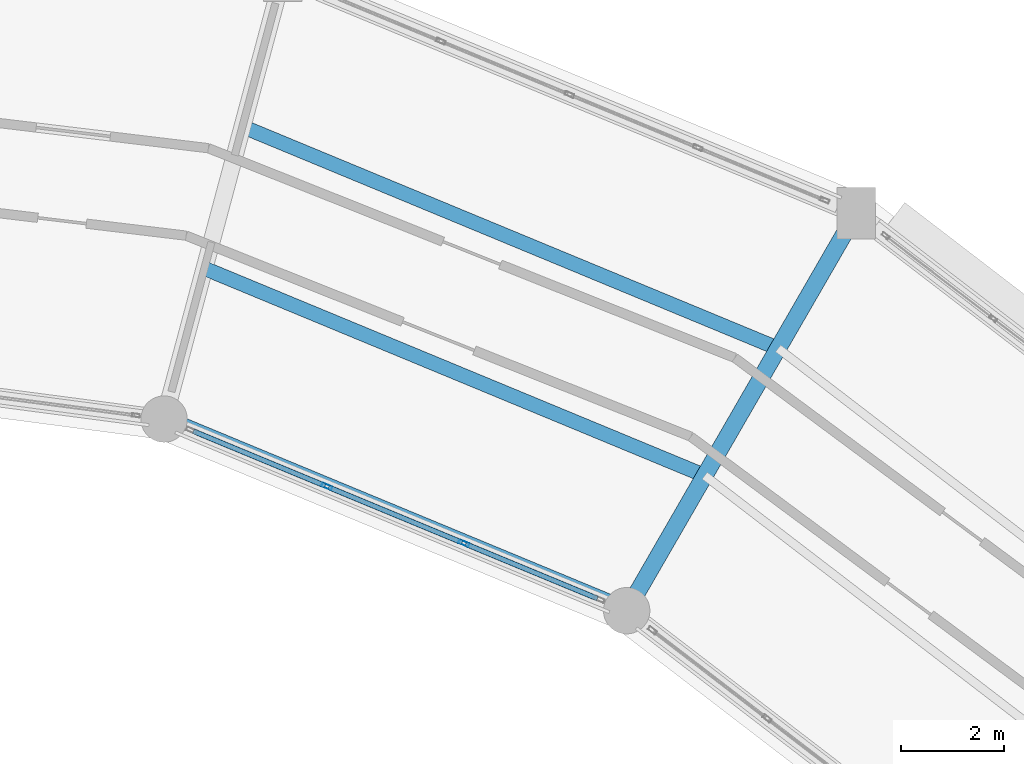
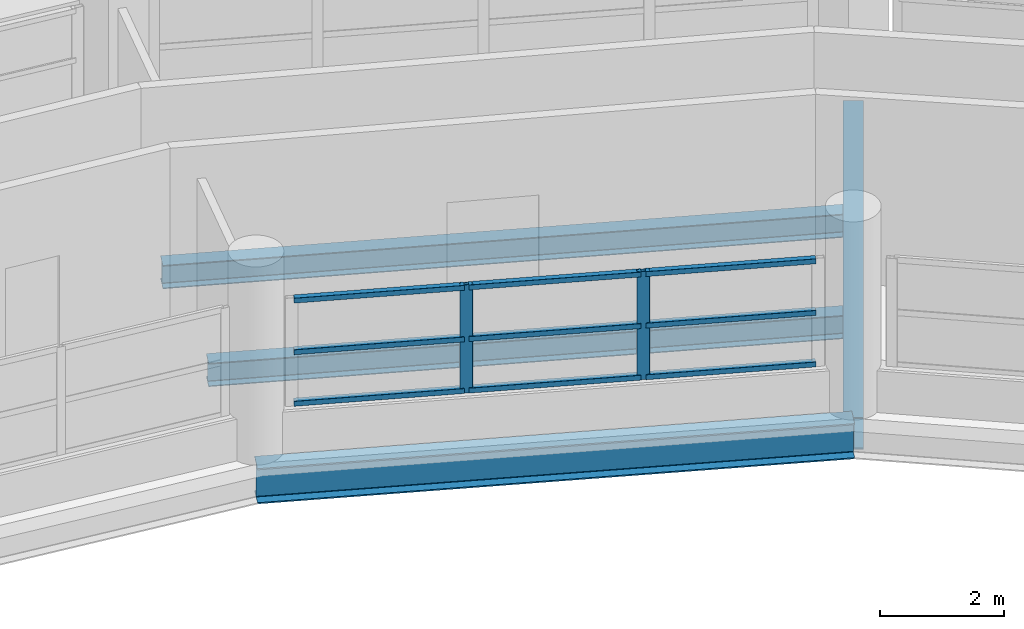
# One storey, part 34 of 53: 11 members, 4 beams, 1 element without a shape of its own.
"""IFC4 building model written with IfcOpenShell, lengths in metres."""

from ifc_helpers import new_model, si_unit, direction, frame, origin, origin_2d, place, context, subcontext, project, spatial, hollow_rectangle, i_section, extrude, material, layer, layer_set, material_profile, profile_set, type_object, element, aggregate, save


model = new_model("IFC4")

# Units and contexts
model_context = context("Model", 3, precision=1e-05, world=origin(), true_north=direction((0.0, 1.0)))
body_context = subcontext(model_context, "Body", "Model", "MODEL_VIEW")
ifc_project = project(units=[si_unit("LENGTHUNIT", "METRE"), si_unit("AREAUNIT", "SQUARE_METRE"), si_unit("VOLUMEUNIT", "CUBIC_METRE"), si_unit("PLANEANGLEUNIT", "RADIAN"), si_unit("MASSUNIT", "GRAM", prefix="KILO")], contexts=[model_context])

# Site, building, storey
site_placement = place(None, origin())
site = spatial("IfcSite", under=ifc_project, at=site_placement, CompositionType="ELEMENT")
building_placement = place(site_placement, origin())
building = spatial("IfcBuilding", under=site, at=building_placement, Name="Vespera Passage Community Centre", CompositionType="ELEMENT")
storey_placement = place(building_placement, frame((0.0, 0.0, 20.39990234375)))
storey = spatial("IfcBuildingStorey", under=building, at=storey_placement, Name="L05", CompositionType="ELEMENT", Elevation=20.39990234375)

# Beams
ifc_material_1 = material(Name="Steel ASTM A992 Grade 50", Category="steel")
ifc_material_profile_1 = material_profile(ifc_material_1, i_section(OverallWidth=0.32763671875, OverallDepth=0.62841796875, WebThickness=0.0166015625, FlangeThickness=0.027587890625, FilletRadius=0.0126953125, at=origin_2d()), Name="W24X146")
ifc_profile_set_1 = profile_set([ifc_material_profile_1], Name="Steel ASTM A992 Grade 50")
beam_type_1 = type_object("IfcBeamType", Name="BM-G-W24X146", PredefinedType="BEAM", material=ifc_profile_set_1)
beam_1_placement = place(storey_placement, frame((96.60009765625, 97.716064453125, -0.57421875), z_axis=(0.499989191739, 0.866031643847, 0.0), x_axis=(-0.866031643847, 0.499989191739, 0.0)))
element("IfcBeam", 1, at=beam_1_placement, inside=storey, type_object=beam_type_1, Name="V4 L05 Radial Girder 4", PredefinedType="BEAM", context=body_context, shape_type="SweptSolid", body=[
    extrude(i_section(OverallWidth=0.32763671875, OverallDepth=0.62841796875, WebThickness=0.0166015625, FlangeThickness=0.027587890625, FilletRadius=0.0126953125, at=origin_2d()), origin(), (0.0, 0.0, 1.0), 8.900146484375),
])
ifc_material_2 = material(Name="Steel ASTM A992 Grade 50", Category="steel")
ifc_material_profile_2 = material_profile(ifc_material_2, i_section(OverallWidth=0.280517578125, OverallDepth=0.46240234375, WebThickness=0.0107421875, FlangeThickness=0.017333984375, FilletRadius=0.01025390625, at=origin_2d()), Name="W18X76")
ifc_profile_set_2 = profile_set([ifc_material_profile_2], Name="Steel ASTM A992 Grade 50")
beam_type_2 = type_object("IfcBeamType", Name="BM-J-W18X76", PredefinedType="JOIST", material=ifc_profile_set_2)
beam_2_placement = place(storey_placement, frame((98.113037109375, 100.336669921875, -0.4912109375), z_axis=(-0.92387968492, 0.382683064417, 0.0), x_axis=(-0.382683064417, -0.92387968492, 0.0)))
element("IfcBeam", 2, at=beam_2_placement, inside=storey, type_object=beam_type_2, Name="V4 L05 Floor Joist 4.1", PredefinedType="JOIST", context=body_context, shape_type="SweptSolid", body=[
    extrude(i_section(OverallWidth=0.280517578125, OverallDepth=0.46240234375, WebThickness=0.0107421875, FlangeThickness=0.017333984375, FilletRadius=0.01025390625, at=origin_2d()), origin(), (0.0, 0.0, 1.0), 10.5009765625),
])
beam_3_placement = place(storey_placement, frame((99.537109375, 102.80322265625, -0.4912109375), z_axis=(-0.923884257257, 0.38267202562, 0.0), x_axis=(-0.38267202562, -0.923884257257, 0.0)))
element("IfcBeam", 3, at=beam_3_placement, inside=storey, type_object=beam_type_2, Name="V4 L05 Floor Joist 4.2", PredefinedType="JOIST", context=body_context, shape_type="SweptSolid", body=[
    extrude(i_section(OverallWidth=0.280517578125, OverallDepth=0.46240234375, WebThickness=0.0107421875, FlangeThickness=0.017333984375, FilletRadius=0.01025390625, at=origin_2d()), origin(), (0.0, 0.0, 1.0), 11.24462890625),
])
ifc_material_3 = material(Name="Steel ASTM A992 Grade 50", Category="steel")
ifc_material_profile_3 = material_profile(ifc_material_3, i_section(OverallWidth=0.3544921875, OverallDepth=0.695556640625, WebThickness=0.015380859375, FlangeThickness=0.024658203125, FilletRadius=0.01513671875, at=origin_2d()), Name="W27X146")
ifc_profile_set_3 = profile_set([ifc_material_profile_3], Name="Steel ASTM A992 Grade 50")
beam_type_3 = type_object("IfcBeamType", Name="BM-SP-W27X146E", PredefinedType="SPANDREL", material=ifc_profile_set_3)
beam_4_placement = place(storey_placement, frame((96.60009765625, 97.716064453125, -0.607666015625), z_axis=(-0.923878947685, 0.382684844258, 0.0), x_axis=(-0.382684844258, -0.923878947685, 0.0)))
element("IfcBeam", 4, at=beam_4_placement, inside=storey, type_object=beam_type_3, Name="V4 L05 Inner Spandrel 4", PredefinedType="SPANDREL", context=body_context, shape_type="SweptSolid", body=[
    extrude(i_section(OverallWidth=0.3544921875, OverallDepth=0.695556640625, WebThickness=0.015380859375, FlangeThickness=0.024658203125, FilletRadius=0.01513671875, at=origin_2d()), origin(), (0.0, 0.0, 1.0), 9.711181640625),
])

# Curtain wall, members
ifc_material_4 = material(Name="Anodized aluminium 6063-T6", Category="aluminium")
ifc_layer = layer(ifc_material_4, 0.159912109375)
ifc_layer_set = layer_set([ifc_layer], Name="Anodized aluminium 6063-T6")
curtain_wall_type = type_object("IfcCurtainWallType", Name="CW-72E", PredefinedType="NOTDEFINED", material=ifc_layer_set)
curtain_wall_placement = place(storey_placement, origin())
curtain_wall = element("IfcCurtainWall", 5, at=curtain_wall_placement, inside=storey, type_object=curtain_wall_type, Name="V4 L05 Inner Court Curtain Wall 4", PredefinedType="NOTDEFINED")
ifc_material_5 = material(Name="Anodized aluminium 6063-T6", Category="aluminium")
ifc_material_profile_4 = material_profile(ifc_material_5, hollow_rectangle(XDim=0.074951171875, YDim=0.2099609375, WallThickness=0.0048828125, InnerFilletRadius=0.00244140625, OuterFilletRadius=0.0048828125, at=origin_2d()), Name="ALU210X75X5")
ifc_profile_set_4 = profile_set([ifc_material_profile_4], Name="Anodized aluminium 6063-T6")
member_type_1 = type_object("IfcMemberType", Name="MB-CWM-210E", PredefinedType="MULLION", material=ifc_profile_set_4)
member_1_placement = place(storey_placement, frame((93.443115234375, 99.023681640625, 0.820068359375), z_axis=(0.0, 0.0, 1.0), x_axis=(-0.382690463482, -0.923876620096, 0.0)))
member_1 = element("IfcMember", 6, at=member_1_placement, type_object=member_type_1, Name="CW-72E mullion 2", PredefinedType="MULLION", context=body_context, shape_type="SweptSolid", body=[
    extrude(hollow_rectangle(XDim=0.074951171875, YDim=0.2099609375, WallThickness=0.0048828125, InnerFilletRadius=0.00244140625, OuterFilletRadius=0.0048828125, at=origin_2d()), origin(), (0.0, 0.0, 1.0), 2.129638671875),
])
member_2_placement = place(storey_placement, frame((90.784912109375, 100.124755859375, 0.820068359375), z_axis=(0.0, 0.0, 1.0), x_axis=(-0.382690463482, -0.923876620096, 0.0)))
member_2 = element("IfcMember", 7, at=member_2_placement, type_object=member_type_1, Name="CW-72E mullion 3", PredefinedType="MULLION", context=body_context, shape_type="SweptSolid", body=[
    extrude(hollow_rectangle(XDim=0.074951171875, YDim=0.2099609375, WallThickness=0.0048828125, InnerFilletRadius=0.00244140625, OuterFilletRadius=0.0048828125, at=origin_2d()), origin(), (0.0, 0.0, 1.0), 2.129638671875),
])
ifc_material_6 = material(Name="Anodized aluminium 6063-T6", Category="aluminium")
ifc_material_profile_5 = material_profile(ifc_material_6, hollow_rectangle(XDim=0.10009765625, YDim=0.10009765625, WallThickness=0.00390625, InnerFilletRadius=0.001953125, OuterFilletRadius=0.00390625, at=origin_2d()), Name="ALU100X100X4")
ifc_profile_set_5 = profile_set([ifc_material_profile_5], Name="Anodized aluminium 6063-T6")
member_type_2 = type_object("IfcMemberType", Name="MB-CWT-100E", PredefinedType="USERDEFINED", material=ifc_profile_set_5)
member_3_placement = place(storey_placement, frame((96.0322265625, 97.951416015625, 0.8701171875), z_axis=(-0.923908142805, 0.382614353701, 0.0), x_axis=(-0.382614353701, -0.923908142805, 0.0)))
member_3 = element("IfcMember", 8, at=member_3_placement, type_object=member_type_2, Name="CW-72E transom 1.1", ObjectType="TRANSOM", PredefinedType="USERDEFINED", context=body_context, shape_type="SweptSolid", body=[
    extrude(hollow_rectangle(XDim=0.10009765625, YDim=0.10009765625, WallThickness=0.00390625, InnerFilletRadius=0.001953125, OuterFilletRadius=0.00390625, at=origin_2d()), origin(), (0.0, 0.0, 1.0), 2.764892578125),
])
member_4_placement = place(storey_placement, frame((96.0322265625, 97.951416015625, 1.884765625), z_axis=(-0.923908142805, 0.382614353701, 0.0), x_axis=(-0.382614353701, -0.923908142805, 0.0)))
member_4 = element("IfcMember", 9, at=member_4_placement, type_object=member_type_2, Name="CW-72E transom 1.2", ObjectType="TRANSOM", PredefinedType="USERDEFINED", context=body_context, shape_type="SweptSolid", body=[
    extrude(hollow_rectangle(XDim=0.10009765625, YDim=0.10009765625, WallThickness=0.00390625, InnerFilletRadius=0.001953125, OuterFilletRadius=0.00390625, at=origin_2d()), origin(), (0.0, 0.0, 1.0), 2.764892578125),
])
member_5_placement = place(storey_placement, frame((96.0322265625, 97.951416015625, 2.899658203125), z_axis=(-0.923908142805, 0.382614353701, 0.0), x_axis=(-0.382614353701, -0.923908142805, 0.0)))
member_5 = element("IfcMember", 10, at=member_5_placement, type_object=member_type_2, Name="CW-72E transom 1.3", ObjectType="TRANSOM", PredefinedType="USERDEFINED", context=body_context, shape_type="SweptSolid", body=[
    extrude(hollow_rectangle(XDim=0.10009765625, YDim=0.10009765625, WallThickness=0.00390625, InnerFilletRadius=0.001953125, OuterFilletRadius=0.00390625, at=origin_2d()), origin(), (0.0, 0.0, 1.0), 2.764892578125),
])
member_6_placement = place(storey_placement, frame((93.408447265625, 99.0380859375, 0.8701171875), z_axis=(-0.923889408399, 0.382659588994, 0.0), x_axis=(-0.382659588994, -0.923889408399, 0.0)))
member_6 = element("IfcMember", 11, at=member_6_placement, type_object=member_type_2, Name="CW-72E transom 2.1", ObjectType="TRANSOM", PredefinedType="USERDEFINED", context=body_context, shape_type="SweptSolid", body=[
    extrude(hollow_rectangle(XDim=0.10009765625, YDim=0.10009765625, WallThickness=0.00390625, InnerFilletRadius=0.001953125, OuterFilletRadius=0.00390625, at=origin_2d()), origin(), (0.0, 0.0, 1.0), 2.80224609375),
])
member_7_placement = place(storey_placement, frame((93.408447265625, 99.0380859375, 1.884765625), z_axis=(-0.923889408399, 0.382659588994, 0.0), x_axis=(-0.382659588994, -0.923889408399, 0.0)))
member_7 = element("IfcMember", 12, at=member_7_placement, type_object=member_type_2, Name="CW-72E transom 2.2", ObjectType="TRANSOM", PredefinedType="USERDEFINED", context=body_context, shape_type="SweptSolid", body=[
    extrude(hollow_rectangle(XDim=0.10009765625, YDim=0.10009765625, WallThickness=0.00390625, InnerFilletRadius=0.001953125, OuterFilletRadius=0.00390625, at=origin_2d()), origin(), (0.0, 0.0, 1.0), 2.80224609375),
])
member_8_placement = place(storey_placement, frame((93.408447265625, 99.0380859375, 2.899658203125), z_axis=(-0.923889408399, 0.382659588994, 0.0), x_axis=(-0.382659588994, -0.923889408399, 0.0)))
member_8 = element("IfcMember", 13, at=member_8_placement, type_object=member_type_2, Name="CW-72E transom 2.3", ObjectType="TRANSOM", PredefinedType="USERDEFINED", context=body_context, shape_type="SweptSolid", body=[
    extrude(hollow_rectangle(XDim=0.10009765625, YDim=0.10009765625, WallThickness=0.00390625, InnerFilletRadius=0.001953125, OuterFilletRadius=0.00390625, at=origin_2d()), origin(), (0.0, 0.0, 1.0), 2.80224609375),
])
member_9_placement = place(storey_placement, frame((90.750244140625, 100.13916015625, 0.8701171875), z_axis=(-0.923863992677, 0.382720946689, 0.0), x_axis=(-0.382720946689, -0.923863992677, 0.0)))
member_9 = element("IfcMember", 14, at=member_9_placement, type_object=member_type_2, Name="CW-72E transom 3.1", ObjectType="TRANSOM", PredefinedType="USERDEFINED", context=body_context, shape_type="SweptSolid", body=[
    extrude(hollow_rectangle(XDim=0.10009765625, YDim=0.10009765625, WallThickness=0.00390625, InnerFilletRadius=0.001953125, OuterFilletRadius=0.00390625, at=origin_2d()), origin(), (0.0, 0.0, 1.0), 2.7646484375),
])
member_10_placement = place(storey_placement, frame((90.750244140625, 100.13916015625, 1.884765625), z_axis=(-0.923863992677, 0.382720946689, 0.0), x_axis=(-0.382720946689, -0.923863992677, 0.0)))
member_10 = element("IfcMember", 15, at=member_10_placement, type_object=member_type_2, Name="CW-72E transom 3.2", ObjectType="TRANSOM", PredefinedType="USERDEFINED", context=body_context, shape_type="SweptSolid", body=[
    extrude(hollow_rectangle(XDim=0.10009765625, YDim=0.10009765625, WallThickness=0.00390625, InnerFilletRadius=0.001953125, OuterFilletRadius=0.00390625, at=origin_2d()), origin(), (0.0, 0.0, 1.0), 2.7646484375),
])
member_11_placement = place(storey_placement, frame((90.750244140625, 100.13916015625, 2.899658203125), z_axis=(-0.923863992677, 0.382720946689, 0.0), x_axis=(-0.382720946689, -0.923863992677, 0.0)))
member_11 = element("IfcMember", 16, at=member_11_placement, type_object=member_type_2, Name="CW-72E transom 3.3", ObjectType="TRANSOM", PredefinedType="USERDEFINED", context=body_context, shape_type="SweptSolid", body=[
    extrude(hollow_rectangle(XDim=0.10009765625, YDim=0.10009765625, WallThickness=0.00390625, InnerFilletRadius=0.001953125, OuterFilletRadius=0.00390625, at=origin_2d()), origin(), (0.0, 0.0, 1.0), 2.7646484375),
])
aggregate(curtain_wall, [member_1, member_2, member_3, member_4, member_5, member_6, member_7, member_8, member_9, member_10, member_11])

save(model, "model.ifc")
